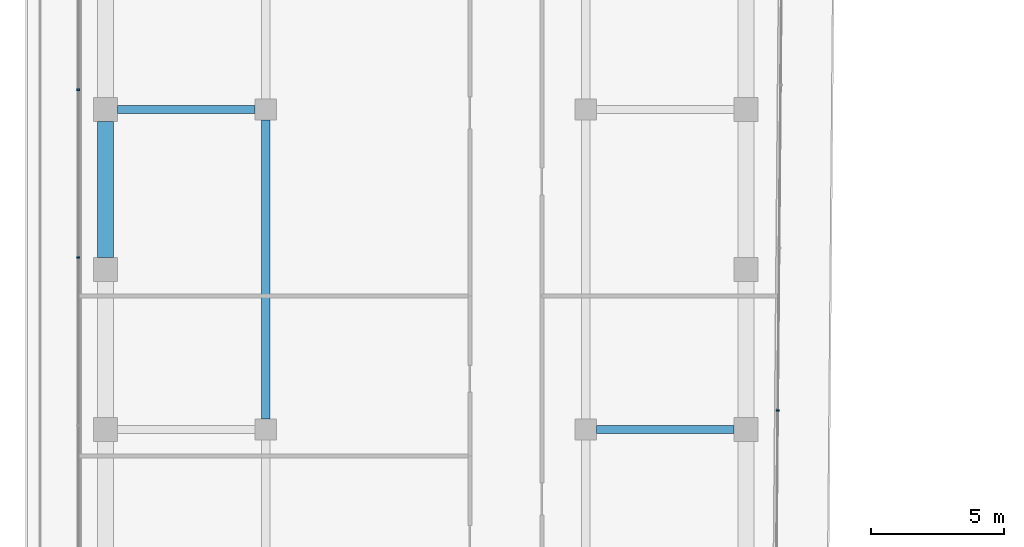
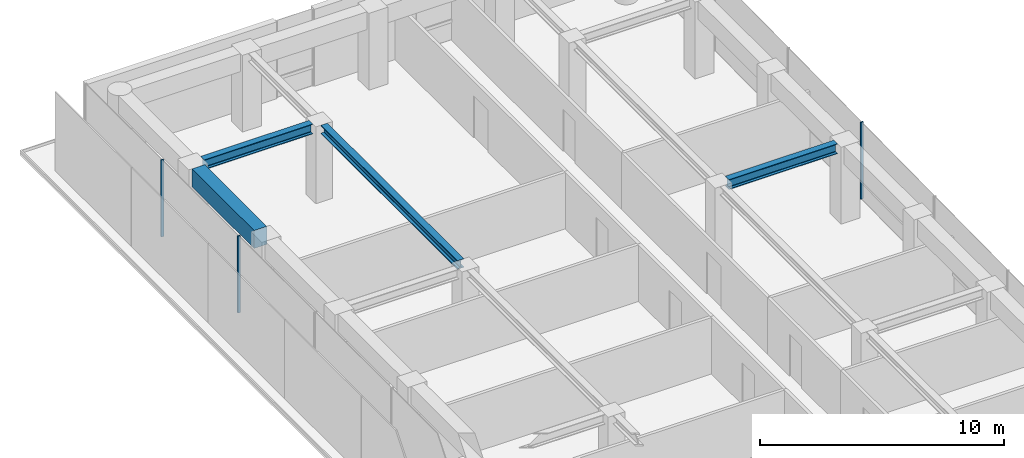
# One storey, part 14 of 23: 4 beams, 3 members, 2 elements without a shape of their own.
"""IFC4 building model written with IfcOpenShell, lengths in metres."""

import ifcopenshell
import ifcopenshell.guid

model = None  # the IFC model being written
_history = None  # IfcOwnerHistory: only IFC2X3 demands one
_inside = {}  # id of a spatial element -> (the spatial element, [elements in it])
_under = {}  # id of a project, library or spatial element -> (it, [spatial elements below it])
_declared = {}  # id of a project -> (the project, [libraries it declares])
_typed = {}  # id of a type object -> (the type object, [elements of that type])
_made_of = {}  # id of a material, layer set ... -> (it, [elements and type objects made of it])


def new_model(schema):
    """Start an empty IFC model of exactly this schema.

    Asked for "IFC4X3", IfcOpenShell would pick the latest addendum, in which some entities
    have other attributes; the version numbers below select the first issue.
    IFC2X3 requires an IfcOwnerHistory on every rooted entity: one is made here for all.
    """
    global model, _history
    if schema == "IFC4X3":
        model = ifcopenshell.file(schema_version=(4, 3, 0, 0))
    else:
        model = ifcopenshell.file(schema=schema)
    _inside.clear()
    _under.clear()
    _declared.clear()
    _typed.clear()
    _made_of.clear()
    _history = None
    if model.schema == "IFC2X3":
        org = make("IfcOrganization", Name="unknown")
        user = make(
            "IfcPersonAndOrganization",
            ThePerson=make("IfcPerson", FamilyName="unknown"),
            TheOrganization=org,
        )
        app = make(
            "IfcApplication",
            ApplicationDeveloper=org,
            Version="unknown",
            ApplicationFullName="unknown",
            ApplicationIdentifier="unknown",
        )
        _history = make(
            "IfcOwnerHistory",
            OwningUser=user,
            OwningApplication=app,
            ChangeAction="ADDED",
            CreationDate=0,
        )
    return model


def make(cls, **values):
    """One entity of the class cls with the attributes given. An attribute that is None is left unset."""
    return model.create_entity(
        cls, **{name: value for name, value in values.items() if value is not None}
    )


def rooted(cls, **values):
    """An entity with a GlobalId (a new one), such as an element, a storey or a relation."""
    return make(cls, GlobalId=ifcopenshell.guid.new(), OwnerHistory=_history, **values)


def si_unit(unit_type, name, prefix=None):
    """IfcSIUnit, for example si_unit("LENGTHUNIT", "METRE", prefix="MILLI")."""
    return make("IfcSIUnit", UnitType=unit_type, Prefix=prefix, Name=name)


def assignment(units):
    """IfcUnitAssignment: the units of a project."""
    return None if units is None else make("IfcUnitAssignment", Units=units)


def point(xyz):
    """IfcCartesianPoint."""
    return None if xyz is None else make("IfcCartesianPoint", Coordinates=xyz)


def direction(xyz):
    """IfcDirection."""
    return None if xyz is None else make("IfcDirection", DirectionRatios=xyz)


def frame(location, z_axis=None, x_axis=None):
    """IfcAxis2Placement3D, a coordinate frame: its origin and axes. An axis left out is left unset."""
    return make(
        "IfcAxis2Placement3D",
        Location=point(location),
        Axis=direction(z_axis),
        RefDirection=direction(x_axis),
    )


def frame_2d(location, x_axis=None):
    """IfcAxis2Placement2D, a coordinate frame in the plane: its origin and x axis."""
    return make(
        "IfcAxis2Placement2D", Location=point(location), RefDirection=direction(x_axis)
    )


def origin():
    """The frame at (0, 0, 0) with its axes left unset."""
    return frame((0.0, 0.0, 0.0))


def origin_2d():
    """The frame at (0, 0) in the plane with its x axis left unset."""
    return frame_2d((0.0, 0.0))


def place(relative_to, where):
    """IfcLocalPlacement: puts the frame where relative to a parent placement (None: the world)."""
    return make(
        "IfcLocalPlacement", PlacementRelTo=relative_to, RelativePlacement=where
    )


def context(
    kind, dimensions, precision=None, world=None, true_north=None, identifier=None
):
    """IfcGeometricRepresentationContext, for example the 3D "Model" context."""
    return make(
        "IfcGeometricRepresentationContext",
        ContextIdentifier=identifier,
        ContextType=kind,
        CoordinateSpaceDimension=dimensions,
        Precision=precision,
        WorldCoordinateSystem=world,
        TrueNorth=true_north,
    )


def subcontext(parent, identifier, kind, view, scale=None):
    """IfcGeometricRepresentationSubContext, for example "Body" below "Model"."""
    return make(
        "IfcGeometricRepresentationSubContext",
        ContextIdentifier=identifier,
        ContextType=kind,
        ParentContext=parent,
        TargetScale=scale,
        TargetView=view,
    )


def project(units=None, contexts=None):
    """IfcProject with its units and contexts."""
    return rooted(
        "IfcProject",
        Name="project",
        RepresentationContexts=contexts,
        UnitsInContext=assignment(units),
    )


def spatial(cls, under=None, at=None, **own):
    """A site, building, storey or space (cls), placed at a placement, below another one or the project."""
    s = rooted(cls, ObjectPlacement=at, **own)
    if under is not None:
        _under.setdefault(under.id(), (under, []))[1].append(s)
    return s


def profile(cls, at=None, kind="AREA", **sizes):
    """A parametric profile (cls). Its sizes go by their IFC names, for example OverallWidth=200.0."""
    return make(cls, ProfileType=kind, Position=at, **sizes)


def rectangle(**sizes):
    """IfcRectangleProfileDef."""
    return profile("IfcRectangleProfileDef", **sizes)


def i_section(**sizes):
    """IfcIShapeProfileDef."""
    return profile("IfcIShapeProfileDef", **sizes)


def extrude(swept, where, along, depth):
    """IfcExtrudedAreaSolid: the profile swept, set in the frame where, extruded along a direction by depth."""
    return make(
        "IfcExtrudedAreaSolid",
        SweptArea=swept,
        Position=where,
        ExtrudedDirection=direction(along),
        Depth=depth,
    )


def shape(context_of_items, identifier, shape_type, items):
    """IfcShapeRepresentation: the items that make up one representation, for example the "Body"."""
    return make(
        "IfcShapeRepresentation",
        ContextOfItems=context_of_items,
        RepresentationIdentifier=identifier,
        RepresentationType=shape_type,
        Items=items,
    )


def material(Name=None, Category=None):
    """IfcMaterial."""
    return make("IfcMaterial", Name=Name, Category=Category)


def layer(
    of_material, thickness, ventilated=None, Name=None, Category=None, Priority=None
):
    """IfcMaterialLayer: one layer of a wall or slab, of a material (None: an air gap)."""
    return make(
        "IfcMaterialLayer",
        Material=of_material,
        LayerThickness=thickness,
        IsVentilated=ventilated,
        Name=Name,
        Category=Category,
        Priority=Priority,
    )


def layer_set(layers, Name=None):
    """IfcMaterialLayerSet."""
    return make("IfcMaterialLayerSet", MaterialLayers=layers, LayerSetName=Name)


def material_profile(
    of_material, cross_section, Name=None, Category=None, Priority=None
):
    """IfcMaterialProfile: a cross section and its material."""
    return make(
        "IfcMaterialProfile",
        Name=Name,
        Material=of_material,
        Profile=cross_section,
        Priority=Priority,
        Category=Category,
    )


def profile_set(profiles, Name=None, composite=None):
    """IfcMaterialProfileSet."""
    return make(
        "IfcMaterialProfileSet",
        Name=Name,
        MaterialProfiles=profiles,
        CompositeProfile=composite,
    )


def made_of(thing, what):
    """Note that an element or type object is made of a material, layer set ...; save() writes the relation."""
    if what is not None:
        _made_of.setdefault(what.id(), (what, []))[1].append(thing)
    return thing


def type_object(cls, material=None, **own):
    """A type object (cls), such as IfcWallType, which elements share."""
    return made_of(rooted(cls, **own), material)


def element(
    cls,
    number,
    at=None,
    inside=None,
    cuts=None,
    type_object=None,
    material=None,
    context=None,
    identifier="Body",
    shape_type=None,
    held_by="IfcProductDefinitionShape",
    body=None,
    shapes=None,
    **own,
):
    """One element of the class cls, such as IfcWall. Its Tag is "e" and its number.

    at: its placement. inside: the storey or other place that contains it. cuts: it is an
    opening in that element (IfcRelVoidsElement). A single representation is given by context,
    identifier, shape_type and body (its items); several are given by shapes. held_by: the class
    of the entity that holds the representations. save() writes the other relations.
    """
    e = rooted(cls, Tag="e%d" % number, ObjectPlacement=at, **own)
    if body is not None:
        shapes = [shape(context, identifier, shape_type, body)]
    if shapes is not None:
        e.Representation = make(held_by, Representations=shapes)
    if inside is not None:
        _inside.setdefault(inside.id(), (inside, []))[1].append(e)
    if cuts is not None:
        rooted(
            "IfcRelVoidsElement", RelatingBuildingElement=cuts, RelatedOpeningElement=e
        )
    if type_object is not None:
        _typed.setdefault(type_object.id(), (type_object, []))[1].append(e)
    return made_of(e, material)


def aggregate(whole, parts):
    """IfcRelAggregates: a whole, such as a stair, and the parts it consists of."""
    return rooted("IfcRelAggregates", RelatingObject=whole, RelatedObjects=parts)


def save(model, path):
    """Write the relations noted so far, then the file.

    IfcRelAggregates (storeys below a building ...), IfcRelContainedInSpatialStructure (elements
    in a storey), IfcRelDefinesByType, IfcRelAssociatesMaterial and IfcRelDeclares: one each for
    every whole, place, type object, material and project.
    """
    for whole, parts in _under.values():
        aggregate(whole, parts)
    for where, things in _inside.values():
        rooted(
            "IfcRelContainedInSpatialStructure",
            RelatedElements=things,
            RelatingStructure=where,
        )
    for kind, things in _typed.values():
        rooted("IfcRelDefinesByType", RelatedObjects=things, RelatingType=kind)
    for what, things in _made_of.values():
        rooted("IfcRelAssociatesMaterial", RelatedObjects=things, RelatingMaterial=what)
    for by, libraries in _declared.values():
        rooted("IfcRelDeclares", RelatingContext=by, RelatedDefinitions=libraries)
    model.write(path)


model = new_model("IFC4")

# Units and contexts
model_context = context("Model", 3, precision=1e-05, world=origin(), true_north=direction((0.0, 1.0)))
body_context = subcontext(model_context, "Body", "Model", "MODEL_VIEW")
ifc_project = project(units=[si_unit("LENGTHUNIT", "METRE"), si_unit("AREAUNIT", "SQUARE_METRE"), si_unit("VOLUMEUNIT", "CUBIC_METRE"), si_unit("PLANEANGLEUNIT", "RADIAN"), si_unit("MASSUNIT", "GRAM", prefix="KILO")], contexts=[model_context])

# Site, building, storey
site_placement = place(None, origin())
site = spatial("IfcSite", under=ifc_project, at=site_placement, CompositionType="ELEMENT")
building_placement = place(site_placement, origin())
building = spatial("IfcBuilding", under=site, at=building_placement, Name="Welwitschia Terrace Campus", CompositionType="ELEMENT")
storey_placement = place(building_placement, frame((0.0, 0.0, 113.0)))
storey = spatial("IfcBuildingStorey", under=building, at=storey_placement, Name="L25", CompositionType="ELEMENT", Elevation=113.0)

# Beam
ifc_material_1 = material(Name="Steel S355", Category="steel")
ifc_material_profile_1 = material_profile(ifc_material_1, i_section(OverallWidth=0.306884765625, OverallDepth=0.431884765625, WebThickness=0.02099609375, FlangeThickness=0.0400390625, FilletRadius=0.027099609375, at=origin_2d()))
ifc_profile_set_1 = profile_set([ifc_material_profile_1], Name="Steel S355")
beam_type_1 = type_object("IfcBeamType", Name="Interior girder HE 400 M", PredefinedType="BEAM", material=ifc_profile_set_1)
beam_1_placement = place(storey_placement, frame((6.0, 52.400390625, 3.634033203125), z_axis=(0.0, 1.0, 0.0), x_axis=(-1.0, 0.0, 0.0)))
element("IfcBeam", 1, at=beam_1_placement, inside=storey, type_object=beam_type_1, Name="Girder GB3", PredefinedType="BEAM", context=body_context, shape_type="SweptSolid", body=[
    extrude(i_section(OverallWidth=0.306884765625, OverallDepth=0.431884765625, WebThickness=0.02099609375, FlangeThickness=0.0400390625, FilletRadius=0.027099609375, at=origin_2d()), origin(), (0.0, 0.0, 1.0), 11.19921875),
])

# Curtain wall, members
ifc_material_2 = material(Name="Bronze anodised aluminium", Category="aluminium")
ifc_layer = layer(ifc_material_2, 0.1201171875)
ifc_layer_set = layer_set([ifc_layer], Name="Bronze anodised aluminium")
curtain_wall_type = type_object("IfcCurtainWallType", Name="Curtain wall CW2 tower 6000", PredefinedType="NOTDEFINED", material=ifc_layer_set)
curtain_wall_1_placement = place(storey_placement, origin())
curtain_wall_1 = element("IfcCurtainWall", 2, at=curtain_wall_1_placement, inside=storey, type_object=curtain_wall_type, Name="CW L25.1.0", PredefinedType="NOTDEFINED")
ifc_material_3 = material(Name="Bronze anodised aluminium", Category="aluminium")
ifc_material_profile_2 = material_profile(ifc_material_3, rectangle(XDim=0.1201171875, YDim=0.06005859375, at=origin_2d()))
ifc_profile_set_2 = profile_set([ifc_material_profile_2], Name="Bronze anodised aluminium")
member_type = type_object("IfcMemberType", Name="Mullion 60x120", PredefinedType="MULLION", material=ifc_profile_set_2)
member_1_placement = place(storey_placement, frame((-1.030029296875, 64.739013671875, 0.0), z_axis=(0.0, 0.0, 1.0), x_axis=(1.0, 0.0, 0.0)))
member_1 = element("IfcMember", 3, at=member_1_placement, type_object=member_type, Name="Mullion L25.1.0.1", PredefinedType="MULLION", context=body_context, shape_type="SweptSolid", body=[
    extrude(rectangle(XDim=0.1201171875, YDim=0.06005859375, at=origin_2d()), origin(), (0.0, 0.0, 1.0), 3.85009765625),
])
member_2_placement = place(storey_placement, frame((-1.030029296875, 58.447998046875, 0.0), z_axis=(0.0, 0.0, 1.0), x_axis=(1.0, 0.0, 0.0)))
member_2 = element("IfcMember", 4, at=member_2_placement, type_object=member_type, Name="Mullion L25.1.0.2", PredefinedType="MULLION", context=body_context, shape_type="SweptSolid", body=[
    extrude(rectangle(XDim=0.1201171875, YDim=0.06005859375, at=origin_2d()), origin(), (0.0, 0.0, 1.0), 3.85009765625),
])
aggregate(curtain_wall_1, [member_1, member_2])

# Curtain wall, member
curtain_wall_2_placement = place(storey_placement, origin())
curtain_wall_2 = element("IfcCurtainWall", 5, at=curtain_wall_2_placement, inside=storey, type_object=curtain_wall_type, Name="CW L25.11.0", PredefinedType="NOTDEFINED")
member_3_placement = place(storey_placement, frame((25.200439453125, 52.7119140625, 0.0), z_axis=(0.0, 0.0, 1.0), x_axis=(-0.999961923064, 0.008726535498, 0.0)))
member_3 = element("IfcMember", 6, at=member_3_placement, type_object=member_type, Name="Mullion L25.11.0.3", PredefinedType="MULLION", context=body_context, shape_type="SweptSolid", body=[
    extrude(rectangle(XDim=0.1201171875, YDim=0.06005859375, at=origin_2d()), origin(), (0.0, 0.0, 1.0), 3.85009765625),
])
aggregate(curtain_wall_2, [member_3])

# Beams
ifc_material_4 = material(Name="Steel S355", Category="steel")
ifc_material_profile_3 = material_profile(ifc_material_4, i_section(OverallWidth=0.300048828125, OverallDepth=0.5, WebThickness=0.014404296875, FlangeThickness=0.028076171875, FilletRadius=0.027099609375, at=origin_2d()))
ifc_profile_set_3 = profile_set([ifc_material_profile_3], Name="Steel S355")
beam_type_2 = type_object("IfcBeamType", Name="Primary beam HE 500 B", PredefinedType="BEAM", material=ifc_profile_set_3)
for number, where, z_axis, x_axis, name in (
    (7, (23.549560546875, 52.0, 3.60009765625), (-1.0, 0.0, 0.0), (0.0, -1.0, 0.0), "Primary beam PB3"),
    (8, (0.450439453125, 64.0, 3.60009765625), (1.0, 0.0, 0.0), (0.0, 1.0, 0.0), "Primary beam PB3"),
):
    element("IfcBeam", number, at=place(storey_placement, frame(where, z_axis=z_axis, x_axis=x_axis)), inside=storey, type_object=beam_type_2, Name=name, PredefinedType="BEAM", context=body_context, shape_type="SweptSolid", body=[
        extrude(i_section(OverallWidth=0.300048828125, OverallDepth=0.5, WebThickness=0.014404296875, FlangeThickness=0.028076171875, FilletRadius=0.027099609375, at=origin_2d()), origin(), (0.0, 0.0, 1.0), 5.149169921875),
    ])
ifc_material_5 = material(Name="Concrete C60/75", Category="concrete")
ifc_material_profile_4 = material_profile(ifc_material_5, rectangle(XDim=0.60009765625, YDim=0.89990234375, at=origin_2d()))
ifc_profile_set_4 = profile_set([ifc_material_profile_4], Name="Concrete C60/75")
beam_type_3 = type_object("IfcBeamType", Name="Ring spandrel 600x900", PredefinedType="SPANDREL", material=ifc_profile_set_4)
beam_2_placement = place(storey_placement, frame((0.0, 63.549560546875, 3.39990234375), z_axis=(0.0, -1.0, 0.0), x_axis=(1.0, 0.0, 0.0)))
element("IfcBeam", 9, at=beam_2_placement, inside=storey, type_object=beam_type_3, Name="Spandrel SP2", PredefinedType="SPANDREL", context=body_context, shape_type="SweptSolid", body=[
    extrude(rectangle(XDim=0.60009765625, YDim=0.89990234375, at=origin_2d()), origin(), (0.0, 0.0, 1.0), 5.09912109375),
])

save(model, "model.ifc")
